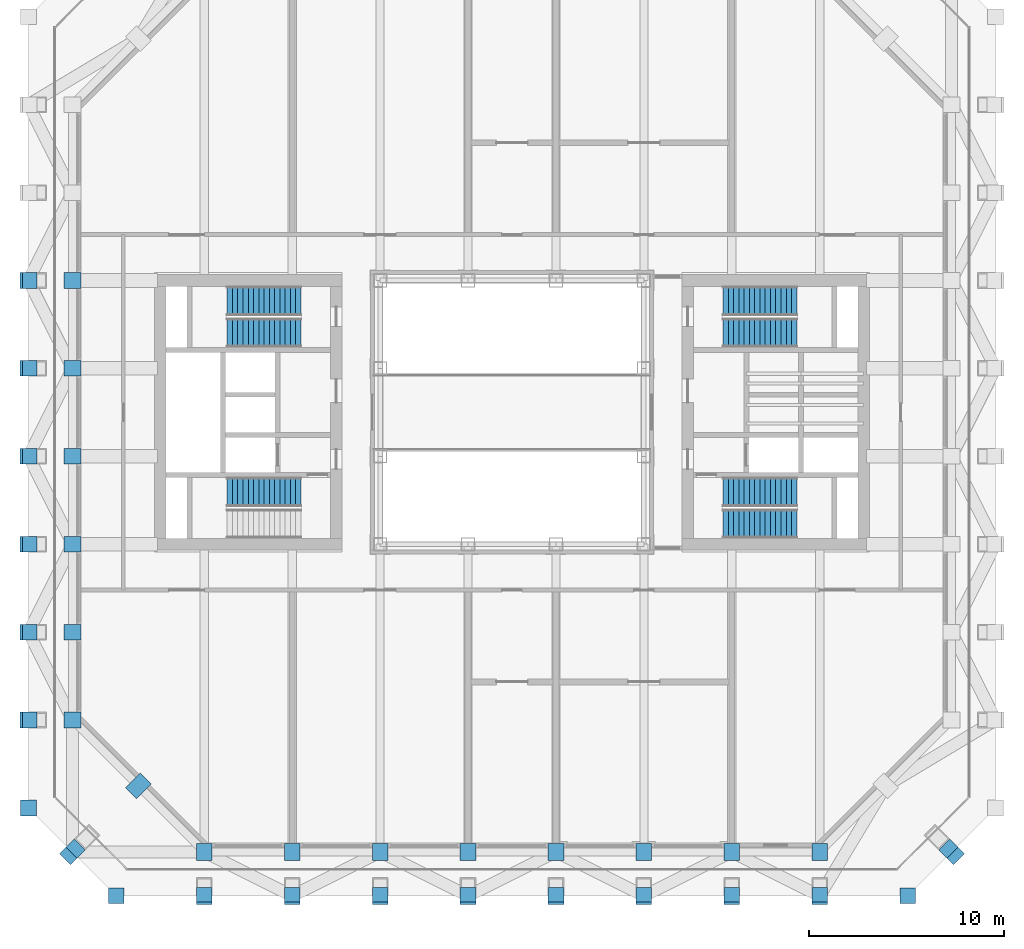
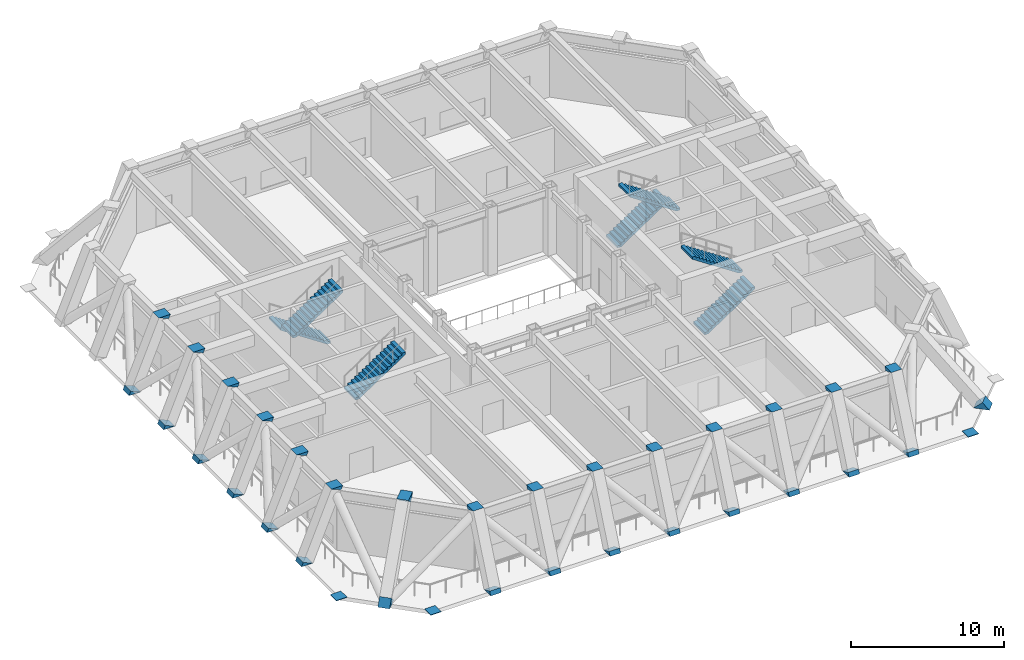
# One storey, part 6 of 9: 34 discrete accessories, 7 stair flights, 4 elements without a shape of their own.
"""IFC4 building model written with IfcOpenShell, lengths in metres."""

from ifc_helpers import new_model, si_unit, direction, frame, origin, origin_2d, place, context, subcontext, project, spatial, polyline, rectangle, outline, extrude, clip, halfspace, material, type_object, element, aggregate, save


model = new_model("IFC4")

# Units and contexts
model_context = context("Model", 3, precision=1e-05, world=origin(), true_north=direction((0.0, 1.0)))
body_context = subcontext(model_context, "Body", "Model", "MODEL_VIEW")
ifc_project = project(units=[si_unit("LENGTHUNIT", "METRE"), si_unit("AREAUNIT", "SQUARE_METRE"), si_unit("VOLUMEUNIT", "CUBIC_METRE"), si_unit("PLANEANGLEUNIT", "RADIAN"), si_unit("MASSUNIT", "GRAM", prefix="KILO")], contexts=[model_context])

# Site, building, storey
site_placement = place(None, origin())
site = spatial("IfcSite", under=ifc_project, at=site_placement, CompositionType="ELEMENT")
building_placement = place(site_placement, origin())
building = spatial("IfcBuilding", under=site, at=building_placement, Name="Msasa Ring Tower", CompositionType="ELEMENT")
storey_placement = place(building_placement, frame((0.0, 0.0, 107.0)))
storey = spatial("IfcBuildingStorey", under=building, at=storey_placement, Name="L28", CompositionType="ELEMENT", Elevation=107.0)

# Stair, stair flights
ifc_material_1 = material(Name="Concrete C40/50", Category="concrete")
stair_type = type_object("IfcStairType", Name="STC CORE STAIR 30 RISERS 180", PredefinedType="HALF_TURN_STAIR", material=ifc_material_1)
stair_1_placement = place(storey_placement, origin())
stair_1 = element("IfcStair", 1, at=stair_1_placement, inside=storey, type_object=stair_type, Name="Core stair SEA L28", PredefinedType="HALF_TURN_STAIR")
ifc_material_2 = material(Name="Concrete C40/50", Category="concrete")
stair_flight_type = type_object("IfcStairFlightType", Name="ST15 CORE STAIR FLIGHT 1500 15 RISERS 180", PredefinedType="STRAIGHT", material=ifc_material_2)
stair_flight_1_placement = place(storey_placement, frame((10.800048828125, -5.699951171875, 0.0), z_axis=(0.0, 0.0, 1.0), x_axis=(1.0, 0.0, 0.0)))
stair_flight_1 = element("IfcStairFlight", 2, at=stair_flight_1_placement, type_object=stair_flight_type, Name="SEA flight 1", NumberOfRisers=15, NumberOfTreads=14, PredefinedType="STRAIGHT", RiserHeight=0.18, TreadLength=0.27, context=body_context, shape_type="SweptSolid", body=[
    extrude(outline(polyline([(0.0, 0.0), (0.0, 0.179931640625), (0.27001953125, 0.179931640625), (0.27001953125, 0.360107421875), (0.5400390625, 0.360107421875), (0.5400390625, 0.5400390625), (0.81005859375, 0.5400390625), (0.81005859375, 0.719970703125), (1.080078125, 0.719970703125), (1.080078125, 0.89990234375), (1.35009765625, 0.89990234375), (1.35009765625, 1.080078125), (1.6201171875, 1.080078125), (1.6201171875, 1.260009765625), (1.889892578125, 1.260009765625), (1.889892578125, 1.43994140625), (2.159912109375, 1.43994140625), (2.159912109375, 1.6201171875), (2.429931640625, 1.6201171875), (2.429931640625, 1.800048828125), (2.699951171875, 1.800048828125), (2.699951171875, 1.97998046875), (2.969970703125, 1.97998046875), (2.969970703125, 2.159912109375), (3.239990234375, 2.159912109375), (3.239990234375, 2.340087890625), (3.510009765625, 2.340087890625), (3.510009765625, 2.52001953125), (3.780029296875, 2.52001953125), (3.780029296875, 2.699951171875), (3.780029296875, 2.33984375), (0.270263671875, 0.0), (0.0, 0.0)])), frame((0.0, 0.75, 0.0), z_axis=(0.0, -1.0, 0.0), x_axis=(1.0, 0.0, 0.0)), (0.0, 0.0, 1.0), 1.5),
])
stair_flight_2_placement = place(storey_placement, frame((14.580078125, -4.074951171875, 2.699951171875), z_axis=(0.0, 0.0, 1.0), x_axis=(-1.0, 0.0, 0.0)))
stair_flight_2 = element("IfcStairFlight", 3, at=stair_flight_2_placement, type_object=stair_flight_type, Name="SEA flight 2", NumberOfRisers=15, NumberOfTreads=14, PredefinedType="STRAIGHT", RiserHeight=0.18, TreadLength=0.27, context=body_context, shape_type="SweptSolid", body=[
    extrude(outline(polyline([(0.0, 0.0), (0.0, 0.179931640625), (0.27001953125, 0.179931640625), (0.27001953125, 0.360107421875), (0.5400390625, 0.360107421875), (0.5400390625, 0.5400390625), (0.81005859375, 0.5400390625), (0.81005859375, 0.719970703125), (1.080078125, 0.719970703125), (1.080078125, 0.89990234375), (1.35009765625, 0.89990234375), (1.35009765625, 1.080078125), (1.6201171875, 1.080078125), (1.6201171875, 1.260009765625), (1.889892578125, 1.260009765625), (1.889892578125, 1.43994140625), (2.159912109375, 1.43994140625), (2.159912109375, 1.6201171875), (2.429931640625, 1.6201171875), (2.429931640625, 1.800048828125), (2.699951171875, 1.800048828125), (2.699951171875, 1.97998046875), (2.969970703125, 1.97998046875), (2.969970703125, 2.159912109375), (3.239990234375, 2.159912109375), (3.239990234375, 2.340087890625), (3.510009765625, 2.340087890625), (3.510009765625, 2.52001953125), (3.780029296875, 2.52001953125), (3.780029296875, 2.699951171875), (3.780029296875, 2.33984375), (0.270263671875, 0.0), (0.0, 0.0)])), frame((0.0, 0.75, 0.0), z_axis=(0.0, -1.0, 0.0), x_axis=(1.0, 0.0, 0.0)), (0.0, 0.0, 1.0), 1.5),
])
aggregate(stair_1, [stair_flight_1, stair_flight_2])

stair_2_placement = place(storey_placement, origin())
stair_2 = element("IfcStair", 4, at=stair_2_placement, inside=storey, type_object=stair_type, Name="Core stair SEB L28", PredefinedType="HALF_TURN_STAIR")
stair_flight_3_placement = place(storey_placement, frame((10.800048828125, 5.699951171875, 0.0), z_axis=(0.0, 0.0, 1.0), x_axis=(1.0, 0.0, 0.0)))
stair_flight_3 = element("IfcStairFlight", 5, at=stair_flight_3_placement, type_object=stair_flight_type, Name="SEB flight 1", NumberOfRisers=15, NumberOfTreads=14, PredefinedType="STRAIGHT", RiserHeight=0.18, TreadLength=0.27, context=body_context, shape_type="SweptSolid", body=[
    extrude(outline(polyline([(0.0, 0.0), (0.0, 0.179931640625), (0.27001953125, 0.179931640625), (0.27001953125, 0.360107421875), (0.5400390625, 0.360107421875), (0.5400390625, 0.5400390625), (0.81005859375, 0.5400390625), (0.81005859375, 0.719970703125), (1.080078125, 0.719970703125), (1.080078125, 0.89990234375), (1.35009765625, 0.89990234375), (1.35009765625, 1.080078125), (1.6201171875, 1.080078125), (1.6201171875, 1.260009765625), (1.889892578125, 1.260009765625), (1.889892578125, 1.43994140625), (2.159912109375, 1.43994140625), (2.159912109375, 1.6201171875), (2.429931640625, 1.6201171875), (2.429931640625, 1.800048828125), (2.699951171875, 1.800048828125), (2.699951171875, 1.97998046875), (2.969970703125, 1.97998046875), (2.969970703125, 2.159912109375), (3.239990234375, 2.159912109375), (3.239990234375, 2.340087890625), (3.510009765625, 2.340087890625), (3.510009765625, 2.52001953125), (3.780029296875, 2.52001953125), (3.780029296875, 2.699951171875), (3.780029296875, 2.33984375), (0.270263671875, 0.0), (0.0, 0.0)])), frame((0.0, 0.75, 0.0), z_axis=(0.0, -1.0, 0.0), x_axis=(1.0, 0.0, 0.0)), (0.0, 0.0, 1.0), 1.5),
])
stair_flight_4_placement = place(storey_placement, frame((14.580078125, 4.074951171875, 2.699951171875), z_axis=(0.0, 0.0, 1.0), x_axis=(-1.0, 0.0, 0.0)))
stair_flight_4 = element("IfcStairFlight", 6, at=stair_flight_4_placement, type_object=stair_flight_type, Name="SEB flight 2", NumberOfRisers=15, NumberOfTreads=14, PredefinedType="STRAIGHT", RiserHeight=0.18, TreadLength=0.27, context=body_context, shape_type="SweptSolid", body=[
    extrude(outline(polyline([(0.0, 0.0), (0.0, 0.179931640625), (0.27001953125, 0.179931640625), (0.27001953125, 0.360107421875), (0.5400390625, 0.360107421875), (0.5400390625, 0.5400390625), (0.81005859375, 0.5400390625), (0.81005859375, 0.719970703125), (1.080078125, 0.719970703125), (1.080078125, 0.89990234375), (1.35009765625, 0.89990234375), (1.35009765625, 1.080078125), (1.6201171875, 1.080078125), (1.6201171875, 1.260009765625), (1.889892578125, 1.260009765625), (1.889892578125, 1.43994140625), (2.159912109375, 1.43994140625), (2.159912109375, 1.6201171875), (2.429931640625, 1.6201171875), (2.429931640625, 1.800048828125), (2.699951171875, 1.800048828125), (2.699951171875, 1.97998046875), (2.969970703125, 1.97998046875), (2.969970703125, 2.159912109375), (3.239990234375, 2.159912109375), (3.239990234375, 2.340087890625), (3.510009765625, 2.340087890625), (3.510009765625, 2.52001953125), (3.780029296875, 2.52001953125), (3.780029296875, 2.699951171875), (3.780029296875, 2.33984375), (0.270263671875, 0.0), (0.0, 0.0)])), frame((0.0, 0.75, 0.0), z_axis=(0.0, -1.0, 0.0), x_axis=(1.0, 0.0, 0.0)), (0.0, 0.0, 1.0), 1.5),
])
aggregate(stair_2, [stair_flight_3, stair_flight_4])

# Stair, stair flight
stair_3_placement = place(storey_placement, origin())
stair_3 = element("IfcStair", 7, at=stair_3_placement, inside=storey, type_object=stair_type, Name="Core stair SWA L28", PredefinedType="HALF_TURN_STAIR")
stair_flight_5_placement = place(storey_placement, frame((-14.580078125, -4.074951171875, 2.699951171875), z_axis=(0.0, 0.0, 1.0), x_axis=(1.0, 0.0, 0.0)))
stair_flight_5 = element("IfcStairFlight", 8, at=stair_flight_5_placement, type_object=stair_flight_type, Name="SWA flight 2", NumberOfRisers=15, NumberOfTreads=14, PredefinedType="STRAIGHT", RiserHeight=0.18, TreadLength=0.27, context=body_context, shape_type="SweptSolid", body=[
    extrude(outline(polyline([(0.0, 0.0), (0.0, 0.179931640625), (0.27001953125, 0.179931640625), (0.27001953125, 0.360107421875), (0.5400390625, 0.360107421875), (0.5400390625, 0.5400390625), (0.81005859375, 0.5400390625), (0.81005859375, 0.719970703125), (1.080078125, 0.719970703125), (1.080078125, 0.89990234375), (1.35009765625, 0.89990234375), (1.35009765625, 1.080078125), (1.6201171875, 1.080078125), (1.6201171875, 1.260009765625), (1.889892578125, 1.260009765625), (1.889892578125, 1.43994140625), (2.159912109375, 1.43994140625), (2.159912109375, 1.6201171875), (2.429931640625, 1.6201171875), (2.429931640625, 1.800048828125), (2.699951171875, 1.800048828125), (2.699951171875, 1.97998046875), (2.969970703125, 1.97998046875), (2.969970703125, 2.159912109375), (3.239990234375, 2.159912109375), (3.239990234375, 2.340087890625), (3.510009765625, 2.340087890625), (3.510009765625, 2.52001953125), (3.780029296875, 2.52001953125), (3.780029296875, 2.699951171875), (3.780029296875, 2.33984375), (0.270263671875, 0.0), (0.0, 0.0)])), frame((0.0, 0.75, 0.0), z_axis=(0.0, -1.0, 0.0), x_axis=(1.0, 0.0, 0.0)), (0.0, 0.0, 1.0), 1.5),
])
aggregate(stair_3, [stair_flight_5])

# Stair, stair flights
stair_4_placement = place(storey_placement, origin())
stair_4 = element("IfcStair", 9, at=stair_4_placement, inside=storey, type_object=stair_type, Name="Core stair SWB L28", PredefinedType="HALF_TURN_STAIR")
stair_flight_6_placement = place(storey_placement, frame((-10.800048828125, 5.699951171875, 0.0), z_axis=(0.0, 0.0, 1.0), x_axis=(-1.0, 0.0, 0.0)))
stair_flight_6 = element("IfcStairFlight", 10, at=stair_flight_6_placement, type_object=stair_flight_type, Name="SWB flight 1", NumberOfRisers=15, NumberOfTreads=14, PredefinedType="STRAIGHT", RiserHeight=0.18, TreadLength=0.27, context=body_context, shape_type="SweptSolid", body=[
    extrude(outline(polyline([(0.0, 0.0), (0.0, 0.179931640625), (0.27001953125, 0.179931640625), (0.27001953125, 0.360107421875), (0.5400390625, 0.360107421875), (0.5400390625, 0.5400390625), (0.81005859375, 0.5400390625), (0.81005859375, 0.719970703125), (1.080078125, 0.719970703125), (1.080078125, 0.89990234375), (1.35009765625, 0.89990234375), (1.35009765625, 1.080078125), (1.6201171875, 1.080078125), (1.6201171875, 1.260009765625), (1.889892578125, 1.260009765625), (1.889892578125, 1.43994140625), (2.159912109375, 1.43994140625), (2.159912109375, 1.6201171875), (2.429931640625, 1.6201171875), (2.429931640625, 1.800048828125), (2.699951171875, 1.800048828125), (2.699951171875, 1.97998046875), (2.969970703125, 1.97998046875), (2.969970703125, 2.159912109375), (3.239990234375, 2.159912109375), (3.239990234375, 2.340087890625), (3.510009765625, 2.340087890625), (3.510009765625, 2.52001953125), (3.780029296875, 2.52001953125), (3.780029296875, 2.699951171875), (3.780029296875, 2.33984375), (0.270263671875, 0.0), (0.0, 0.0)])), frame((0.0, 0.75, 0.0), z_axis=(0.0, -1.0, 0.0), x_axis=(1.0, 0.0, 0.0)), (0.0, 0.0, 1.0), 1.5),
])
stair_flight_7_placement = place(storey_placement, frame((-14.580078125, 4.074951171875, 2.699951171875), z_axis=(0.0, 0.0, 1.0), x_axis=(1.0, 0.0, 0.0)))
stair_flight_7 = element("IfcStairFlight", 11, at=stair_flight_7_placement, type_object=stair_flight_type, Name="SWB flight 2", NumberOfRisers=15, NumberOfTreads=14, PredefinedType="STRAIGHT", RiserHeight=0.18, TreadLength=0.27, context=body_context, shape_type="SweptSolid", body=[
    extrude(outline(polyline([(0.0, 0.0), (0.0, 0.179931640625), (0.27001953125, 0.179931640625), (0.27001953125, 0.360107421875), (0.5400390625, 0.360107421875), (0.5400390625, 0.5400390625), (0.81005859375, 0.5400390625), (0.81005859375, 0.719970703125), (1.080078125, 0.719970703125), (1.080078125, 0.89990234375), (1.35009765625, 0.89990234375), (1.35009765625, 1.080078125), (1.6201171875, 1.080078125), (1.6201171875, 1.260009765625), (1.889892578125, 1.260009765625), (1.889892578125, 1.43994140625), (2.159912109375, 1.43994140625), (2.159912109375, 1.6201171875), (2.429931640625, 1.6201171875), (2.429931640625, 1.800048828125), (2.699951171875, 1.800048828125), (2.699951171875, 1.97998046875), (2.969970703125, 1.97998046875), (2.969970703125, 2.159912109375), (3.239990234375, 2.159912109375), (3.239990234375, 2.340087890625), (3.510009765625, 2.340087890625), (3.510009765625, 2.52001953125), (3.780029296875, 2.52001953125), (3.780029296875, 2.699951171875), (3.780029296875, 2.33984375), (0.270263671875, 0.0), (0.0, 0.0)])), frame((0.0, 0.75, 0.0), z_axis=(0.0, -1.0, 0.0), x_axis=(1.0, 0.0, 0.0)), (0.0, 0.0, 1.0), 1.5),
])
aggregate(stair_4, [stair_flight_6, stair_flight_7])

# Discrete accessories
discrete_accessory_1_placement = place(storey_placement, frame((-15.75, -24.75, 0.0)))
element("IfcDiscreteAccessory", 12, at=discrete_accessory_1_placement, inside=storey, Name="Raked column foot node S-15.75 L28", ObjectType="RAKED COLUMN NODE", PredefinedType="USERDEFINED", context=body_context, shape_type="Clipping", body=[
    clip(extrude(rectangle(XDim=0.800048828125, YDim=0.800048828125, at=origin_2d()), frame((0.0, -0.064208984375, -0.15380859375), z_axis=(0.0, 0.384615029586, 0.923077071006), x_axis=(0.0, -0.923077071006, 0.384615029586)), (0.0, 0.0, 1.0), 0.33349609375), halfspace(frame((0.0, 0.0, 0.0), z_axis=(0.0, 0.0, 1.0)), True)),
])
discrete_accessory_2_placement = place(storey_placement, frame((-15.75, -22.5, 5.39990234375)))
element("IfcDiscreteAccessory", 13, at=discrete_accessory_2_placement, inside=storey, Name="Raked column head node S-15.75 L28", ObjectType="RAKED COLUMN NODE", PredefinedType="USERDEFINED", context=body_context, shape_type="Clipping", body=[
    clip(extrude(rectangle(XDim=0.800048828125, YDim=0.800048828125, at=origin_2d()), frame((0.0, -0.064208984375, -0.15380859375), z_axis=(0.0, 0.384615029586, 0.923077071006), x_axis=(0.0, -0.923077071006, 0.384615029586)), (0.0, 0.0, 1.0), 0.33349609375), halfspace(frame((0.0, 0.0, 0.0), z_axis=(0.0, 0.0, -1.0)), True)),
])
discrete_accessory_3_placement = place(storey_placement, frame((-24.75, -15.75, 0.0)))
element("IfcDiscreteAccessory", 14, at=discrete_accessory_3_placement, inside=storey, Name="Raked column foot node W-15.75 L28", ObjectType="RAKED COLUMN NODE", PredefinedType="USERDEFINED", context=body_context, shape_type="Clipping", body=[
    clip(extrude(rectangle(XDim=0.800048828125, YDim=0.800048828125, at=origin_2d()), frame((-0.064208984375, 0.0, -0.15380859375), z_axis=(0.384615029586, 0.0, 0.923077071006), x_axis=(0.0, 1.0, 0.0)), (0.0, 0.0, 1.0), 0.33349609375), halfspace(frame((0.0, 0.0, 0.0), z_axis=(0.0, 0.0, 1.0)), True)),
])
discrete_accessory_4_placement = place(storey_placement, frame((-22.5, -15.75, 5.39990234375)))
element("IfcDiscreteAccessory", 15, at=discrete_accessory_4_placement, inside=storey, Name="Raked column head node W-15.75 L28", ObjectType="RAKED COLUMN NODE", PredefinedType="USERDEFINED", context=body_context, shape_type="Clipping", body=[
    clip(extrude(rectangle(XDim=0.800048828125, YDim=0.800048828125, at=origin_2d()), frame((-0.064208984375, 0.0, -0.15380859375), z_axis=(0.384615029586, 0.0, 0.923077071006), x_axis=(0.0, 1.0, 0.0)), (0.0, 0.0, 1.0), 0.33349609375), halfspace(frame((0.0, 0.0, 0.0), z_axis=(0.0, 0.0, -1.0)), True)),
])
discrete_accessory_5_placement = place(storey_placement, frame((-11.25, -24.75, 0.0)))
element("IfcDiscreteAccessory", 16, at=discrete_accessory_5_placement, inside=storey, Name="Raked column foot node S-11.25 L28", ObjectType="RAKED COLUMN NODE", PredefinedType="USERDEFINED", context=body_context, shape_type="Clipping", body=[
    clip(extrude(rectangle(XDim=0.800048828125, YDim=0.800048828125, at=origin_2d()), frame((0.0, -0.064208984375, -0.15380859375), z_axis=(0.0, 0.384615029586, 0.923077071006), x_axis=(0.0, -0.923077071006, 0.384615029586)), (0.0, 0.0, 1.0), 0.33349609375), halfspace(frame((0.0, 0.0, 0.0), z_axis=(0.0, 0.0, 1.0)), True)),
])
discrete_accessory_6_placement = place(storey_placement, frame((-11.25, -22.5, 5.39990234375)))
element("IfcDiscreteAccessory", 17, at=discrete_accessory_6_placement, inside=storey, Name="Raked column head node S-11.25 L28", ObjectType="RAKED COLUMN NODE", PredefinedType="USERDEFINED", context=body_context, shape_type="Clipping", body=[
    clip(extrude(rectangle(XDim=0.800048828125, YDim=0.800048828125, at=origin_2d()), frame((0.0, -0.064208984375, -0.15380859375), z_axis=(0.0, 0.384615029586, 0.923077071006), x_axis=(0.0, -0.923077071006, 0.384615029586)), (0.0, 0.0, 1.0), 0.33349609375), halfspace(frame((0.0, 0.0, 0.0), z_axis=(0.0, 0.0, -1.0)), True)),
])
discrete_accessory_7_placement = place(storey_placement, frame((-24.75, -11.25, 0.0)))
element("IfcDiscreteAccessory", 18, at=discrete_accessory_7_placement, inside=storey, Name="Raked column foot node W-11.25 L28", ObjectType="RAKED COLUMN NODE", PredefinedType="USERDEFINED", context=body_context, shape_type="Clipping", body=[
    clip(extrude(rectangle(XDim=0.800048828125, YDim=0.800048828125, at=origin_2d()), frame((-0.064208984375, 0.0, -0.15380859375), z_axis=(0.384615029586, 0.0, 0.923077071006), x_axis=(0.0, 1.0, 0.0)), (0.0, 0.0, 1.0), 0.33349609375), halfspace(frame((0.0, 0.0, 0.0), z_axis=(0.0, 0.0, 1.0)), True)),
])
discrete_accessory_8_placement = place(storey_placement, frame((-22.5, -11.25, 5.39990234375)))
element("IfcDiscreteAccessory", 19, at=discrete_accessory_8_placement, inside=storey, Name="Raked column head node W-11.25 L28", ObjectType="RAKED COLUMN NODE", PredefinedType="USERDEFINED", context=body_context, shape_type="Clipping", body=[
    clip(extrude(rectangle(XDim=0.800048828125, YDim=0.800048828125, at=origin_2d()), frame((-0.064208984375, 0.0, -0.15380859375), z_axis=(0.384615029586, 0.0, 0.923077071006), x_axis=(0.0, 1.0, 0.0)), (0.0, 0.0, 1.0), 0.33349609375), halfspace(frame((0.0, 0.0, 0.0), z_axis=(0.0, 0.0, -1.0)), True)),
])
discrete_accessory_9_placement = place(storey_placement, frame((-6.75, -24.75, 0.0)))
element("IfcDiscreteAccessory", 20, at=discrete_accessory_9_placement, inside=storey, Name="Raked column foot node S-6.75 L28", ObjectType="RAKED COLUMN NODE", PredefinedType="USERDEFINED", context=body_context, shape_type="Clipping", body=[
    clip(extrude(rectangle(XDim=0.800048828125, YDim=0.800048828125, at=origin_2d()), frame((0.0, -0.064208984375, -0.15380859375), z_axis=(0.0, 0.384615029586, 0.923077071006), x_axis=(0.0, -0.923077071006, 0.384615029586)), (0.0, 0.0, 1.0), 0.33349609375), halfspace(frame((0.0, 0.0, 0.0), z_axis=(0.0, 0.0, 1.0)), True)),
])
discrete_accessory_10_placement = place(storey_placement, frame((-6.75, -22.5, 5.39990234375)))
element("IfcDiscreteAccessory", 21, at=discrete_accessory_10_placement, inside=storey, Name="Raked column head node S-6.75 L28", ObjectType="RAKED COLUMN NODE", PredefinedType="USERDEFINED", context=body_context, shape_type="Clipping", body=[
    clip(extrude(rectangle(XDim=0.800048828125, YDim=0.800048828125, at=origin_2d()), frame((0.0, -0.064208984375, -0.15380859375), z_axis=(0.0, 0.384615029586, 0.923077071006), x_axis=(0.0, -0.923077071006, 0.384615029586)), (0.0, 0.0, 1.0), 0.33349609375), halfspace(frame((0.0, 0.0, 0.0), z_axis=(0.0, 0.0, -1.0)), True)),
])
discrete_accessory_11_placement = place(storey_placement, frame((-24.75, -6.75, 0.0)))
element("IfcDiscreteAccessory", 22, at=discrete_accessory_11_placement, inside=storey, Name="Raked column foot node W-6.75 L28", ObjectType="RAKED COLUMN NODE", PredefinedType="USERDEFINED", context=body_context, shape_type="Clipping", body=[
    clip(extrude(rectangle(XDim=0.800048828125, YDim=0.800048828125, at=origin_2d()), frame((-0.064208984375, 0.0, -0.15380859375), z_axis=(0.384615029586, 0.0, 0.923077071006), x_axis=(0.0, 1.0, 0.0)), (0.0, 0.0, 1.0), 0.33349609375), halfspace(frame((0.0, 0.0, 0.0), z_axis=(0.0, 0.0, 1.0)), True)),
])
discrete_accessory_12_placement = place(storey_placement, frame((-22.5, -6.75, 5.39990234375)))
element("IfcDiscreteAccessory", 23, at=discrete_accessory_12_placement, inside=storey, Name="Raked column head node W-6.75 L28", ObjectType="RAKED COLUMN NODE", PredefinedType="USERDEFINED", context=body_context, shape_type="Clipping", body=[
    clip(extrude(rectangle(XDim=0.800048828125, YDim=0.800048828125, at=origin_2d()), frame((-0.064208984375, 0.0, -0.15380859375), z_axis=(0.384615029586, 0.0, 0.923077071006), x_axis=(0.0, 1.0, 0.0)), (0.0, 0.0, 1.0), 0.33349609375), halfspace(frame((0.0, 0.0, 0.0), z_axis=(0.0, 0.0, -1.0)), True)),
])
discrete_accessory_13_placement = place(storey_placement, frame((-2.25, -24.75, 0.0)))
element("IfcDiscreteAccessory", 24, at=discrete_accessory_13_placement, inside=storey, Name="Raked column foot node S-2.25 L28", ObjectType="RAKED COLUMN NODE", PredefinedType="USERDEFINED", context=body_context, shape_type="Clipping", body=[
    clip(extrude(rectangle(XDim=0.800048828125, YDim=0.800048828125, at=origin_2d()), frame((0.0, -0.064208984375, -0.15380859375), z_axis=(0.0, 0.384615029586, 0.923077071006), x_axis=(0.0, -0.923077071006, 0.384615029586)), (0.0, 0.0, 1.0), 0.33349609375), halfspace(frame((0.0, 0.0, 0.0), z_axis=(0.0, 0.0, 1.0)), True)),
])
discrete_accessory_14_placement = place(storey_placement, frame((-2.25, -22.5, 5.39990234375)))
element("IfcDiscreteAccessory", 25, at=discrete_accessory_14_placement, inside=storey, Name="Raked column head node S-2.25 L28", ObjectType="RAKED COLUMN NODE", PredefinedType="USERDEFINED", context=body_context, shape_type="Clipping", body=[
    clip(extrude(rectangle(XDim=0.800048828125, YDim=0.800048828125, at=origin_2d()), frame((0.0, -0.064208984375, -0.15380859375), z_axis=(0.0, 0.384615029586, 0.923077071006), x_axis=(0.0, -0.923077071006, 0.384615029586)), (0.0, 0.0, 1.0), 0.33349609375), halfspace(frame((0.0, 0.0, 0.0), z_axis=(0.0, 0.0, -1.0)), True)),
])
discrete_accessory_15_placement = place(storey_placement, frame((-24.75, -2.25, 0.0)))
element("IfcDiscreteAccessory", 26, at=discrete_accessory_15_placement, inside=storey, Name="Raked column foot node W-2.25 L28", ObjectType="RAKED COLUMN NODE", PredefinedType="USERDEFINED", context=body_context, shape_type="Clipping", body=[
    clip(extrude(rectangle(XDim=0.800048828125, YDim=0.800048828125, at=origin_2d()), frame((-0.064208984375, 0.0, -0.15380859375), z_axis=(0.384615029586, 0.0, 0.923077071006), x_axis=(0.0, 1.0, 0.0)), (0.0, 0.0, 1.0), 0.33349609375), halfspace(frame((0.0, 0.0, 0.0), z_axis=(0.0, 0.0, 1.0)), True)),
])
discrete_accessory_16_placement = place(storey_placement, frame((-22.5, -2.25, 5.39990234375)))
element("IfcDiscreteAccessory", 27, at=discrete_accessory_16_placement, inside=storey, Name="Raked column head node W-2.25 L28", ObjectType="RAKED COLUMN NODE", PredefinedType="USERDEFINED", context=body_context, shape_type="Clipping", body=[
    clip(extrude(rectangle(XDim=0.800048828125, YDim=0.800048828125, at=origin_2d()), frame((-0.064208984375, 0.0, -0.15380859375), z_axis=(0.384615029586, 0.0, 0.923077071006), x_axis=(0.0, 1.0, 0.0)), (0.0, 0.0, 1.0), 0.33349609375), halfspace(frame((0.0, 0.0, 0.0), z_axis=(0.0, 0.0, -1.0)), True)),
])
discrete_accessory_17_placement = place(storey_placement, frame((2.25, -24.75, 0.0)))
element("IfcDiscreteAccessory", 28, at=discrete_accessory_17_placement, inside=storey, Name="Raked column foot node S+2.25 L28", ObjectType="RAKED COLUMN NODE", PredefinedType="USERDEFINED", context=body_context, shape_type="Clipping", body=[
    clip(extrude(rectangle(XDim=0.800048828125, YDim=0.800048828125, at=origin_2d()), frame((0.0, -0.064208984375, -0.15380859375), z_axis=(0.0, 0.384615029586, 0.923077071006), x_axis=(0.0, -0.923077071006, 0.384615029586)), (0.0, 0.0, 1.0), 0.33349609375), halfspace(frame((0.0, 0.0, 0.0), z_axis=(0.0, 0.0, 1.0)), True)),
])
discrete_accessory_18_placement = place(storey_placement, frame((2.25, -22.5, 5.39990234375)))
element("IfcDiscreteAccessory", 29, at=discrete_accessory_18_placement, inside=storey, Name="Raked column head node S+2.25 L28", ObjectType="RAKED COLUMN NODE", PredefinedType="USERDEFINED", context=body_context, shape_type="Clipping", body=[
    clip(extrude(rectangle(XDim=0.800048828125, YDim=0.800048828125, at=origin_2d()), frame((0.0, -0.064208984375, -0.15380859375), z_axis=(0.0, 0.384615029586, 0.923077071006), x_axis=(0.0, -0.923077071006, 0.384615029586)), (0.0, 0.0, 1.0), 0.33349609375), halfspace(frame((0.0, 0.0, 0.0), z_axis=(0.0, 0.0, -1.0)), True)),
])
discrete_accessory_19_placement = place(storey_placement, frame((-24.75, 2.25, 0.0)))
element("IfcDiscreteAccessory", 30, at=discrete_accessory_19_placement, inside=storey, Name="Raked column foot node W+2.25 L28", ObjectType="RAKED COLUMN NODE", PredefinedType="USERDEFINED", context=body_context, shape_type="Clipping", body=[
    clip(extrude(rectangle(XDim=0.800048828125, YDim=0.800048828125, at=origin_2d()), frame((-0.064208984375, 0.0, -0.15380859375), z_axis=(0.384615029586, 0.0, 0.923077071006), x_axis=(0.0, 1.0, 0.0)), (0.0, 0.0, 1.0), 0.33349609375), halfspace(frame((0.0, 0.0, 0.0), z_axis=(0.0, 0.0, 1.0)), True)),
])
discrete_accessory_20_placement = place(storey_placement, frame((-22.5, 2.25, 5.39990234375)))
element("IfcDiscreteAccessory", 31, at=discrete_accessory_20_placement, inside=storey, Name="Raked column head node W+2.25 L28", ObjectType="RAKED COLUMN NODE", PredefinedType="USERDEFINED", context=body_context, shape_type="Clipping", body=[
    clip(extrude(rectangle(XDim=0.800048828125, YDim=0.800048828125, at=origin_2d()), frame((-0.064208984375, 0.0, -0.15380859375), z_axis=(0.384615029586, 0.0, 0.923077071006), x_axis=(0.0, 1.0, 0.0)), (0.0, 0.0, 1.0), 0.33349609375), halfspace(frame((0.0, 0.0, 0.0), z_axis=(0.0, 0.0, -1.0)), True)),
])
discrete_accessory_21_placement = place(storey_placement, frame((6.75, -24.75, 0.0)))
element("IfcDiscreteAccessory", 32, at=discrete_accessory_21_placement, inside=storey, Name="Raked column foot node S+6.75 L28", ObjectType="RAKED COLUMN NODE", PredefinedType="USERDEFINED", context=body_context, shape_type="Clipping", body=[
    clip(extrude(rectangle(XDim=0.800048828125, YDim=0.800048828125, at=origin_2d()), frame((0.0, -0.064208984375, -0.15380859375), z_axis=(0.0, 0.384615029586, 0.923077071006), x_axis=(0.0, -0.923077071006, 0.384615029586)), (0.0, 0.0, 1.0), 0.33349609375), halfspace(frame((0.0, 0.0, 0.0), z_axis=(0.0, 0.0, 1.0)), True)),
])
discrete_accessory_22_placement = place(storey_placement, frame((6.75, -22.5, 5.39990234375)))
element("IfcDiscreteAccessory", 33, at=discrete_accessory_22_placement, inside=storey, Name="Raked column head node S+6.75 L28", ObjectType="RAKED COLUMN NODE", PredefinedType="USERDEFINED", context=body_context, shape_type="Clipping", body=[
    clip(extrude(rectangle(XDim=0.800048828125, YDim=0.800048828125, at=origin_2d()), frame((0.0, -0.064208984375, -0.15380859375), z_axis=(0.0, 0.384615029586, 0.923077071006), x_axis=(0.0, -0.923077071006, 0.384615029586)), (0.0, 0.0, 1.0), 0.33349609375), halfspace(frame((0.0, 0.0, 0.0), z_axis=(0.0, 0.0, -1.0)), True)),
])
discrete_accessory_23_placement = place(storey_placement, frame((-24.75, 6.75, 0.0)))
element("IfcDiscreteAccessory", 34, at=discrete_accessory_23_placement, inside=storey, Name="Raked column foot node W+6.75 L28", ObjectType="RAKED COLUMN NODE", PredefinedType="USERDEFINED", context=body_context, shape_type="Clipping", body=[
    clip(extrude(rectangle(XDim=0.800048828125, YDim=0.800048828125, at=origin_2d()), frame((-0.064208984375, 0.0, -0.15380859375), z_axis=(0.384615029586, 0.0, 0.923077071006), x_axis=(0.0, 1.0, 0.0)), (0.0, 0.0, 1.0), 0.33349609375), halfspace(frame((0.0, 0.0, 0.0), z_axis=(0.0, 0.0, 1.0)), True)),
])
discrete_accessory_24_placement = place(storey_placement, frame((-22.5, 6.75, 5.39990234375)))
element("IfcDiscreteAccessory", 35, at=discrete_accessory_24_placement, inside=storey, Name="Raked column head node W+6.75 L28", ObjectType="RAKED COLUMN NODE", PredefinedType="USERDEFINED", context=body_context, shape_type="Clipping", body=[
    clip(extrude(rectangle(XDim=0.800048828125, YDim=0.800048828125, at=origin_2d()), frame((-0.064208984375, 0.0, -0.15380859375), z_axis=(0.384615029586, 0.0, 0.923077071006), x_axis=(0.0, 1.0, 0.0)), (0.0, 0.0, 1.0), 0.33349609375), halfspace(frame((0.0, 0.0, 0.0), z_axis=(0.0, 0.0, -1.0)), True)),
])
discrete_accessory_25_placement = place(storey_placement, frame((11.25, -24.75, 0.0)))
element("IfcDiscreteAccessory", 36, at=discrete_accessory_25_placement, inside=storey, Name="Raked column foot node S+11.25 L28", ObjectType="RAKED COLUMN NODE", PredefinedType="USERDEFINED", context=body_context, shape_type="Clipping", body=[
    clip(extrude(rectangle(XDim=0.800048828125, YDim=0.800048828125, at=origin_2d()), frame((0.0, -0.064208984375, -0.15380859375), z_axis=(0.0, 0.384615029586, 0.923077071006), x_axis=(0.0, -0.923077071006, 0.384615029586)), (0.0, 0.0, 1.0), 0.33349609375), halfspace(frame((0.0, 0.0, 0.0), z_axis=(0.0, 0.0, 1.0)), True)),
])
discrete_accessory_26_placement = place(storey_placement, frame((11.25, -22.5, 5.39990234375)))
element("IfcDiscreteAccessory", 37, at=discrete_accessory_26_placement, inside=storey, Name="Raked column head node S+11.25 L28", ObjectType="RAKED COLUMN NODE", PredefinedType="USERDEFINED", context=body_context, shape_type="Clipping", body=[
    clip(extrude(rectangle(XDim=0.800048828125, YDim=0.800048828125, at=origin_2d()), frame((0.0, -0.064208984375, -0.15380859375), z_axis=(0.0, 0.384615029586, 0.923077071006), x_axis=(0.0, -0.923077071006, 0.384615029586)), (0.0, 0.0, 1.0), 0.33349609375), halfspace(frame((0.0, 0.0, 0.0), z_axis=(0.0, 0.0, -1.0)), True)),
])
discrete_accessory_27_placement = place(storey_placement, frame((15.75, -24.75, 0.0)))
element("IfcDiscreteAccessory", 38, at=discrete_accessory_27_placement, inside=storey, Name="Raked column foot node S+15.75 L28", ObjectType="RAKED COLUMN NODE", PredefinedType="USERDEFINED", context=body_context, shape_type="Clipping", body=[
    clip(extrude(rectangle(XDim=0.800048828125, YDim=0.800048828125, at=origin_2d()), frame((0.0, -0.064208984375, -0.15380859375), z_axis=(0.0, 0.384615029586, 0.923077071006), x_axis=(0.0, -0.923077071006, 0.384615029586)), (0.0, 0.0, 1.0), 0.33349609375), halfspace(frame((0.0, 0.0, 0.0), z_axis=(0.0, 0.0, 1.0)), True)),
])
discrete_accessory_28_placement = place(storey_placement, frame((15.75, -22.5, 5.39990234375)))
element("IfcDiscreteAccessory", 39, at=discrete_accessory_28_placement, inside=storey, Name="Raked column head node S+15.75 L28", ObjectType="RAKED COLUMN NODE", PredefinedType="USERDEFINED", context=body_context, shape_type="Clipping", body=[
    clip(extrude(rectangle(XDim=0.800048828125, YDim=0.800048828125, at=origin_2d()), frame((0.0, -0.064208984375, -0.15380859375), z_axis=(0.0, 0.384615029586, 0.923077071006), x_axis=(0.0, -0.923077071006, 0.384615029586)), (0.0, 0.0, 1.0), 0.33349609375), halfspace(frame((0.0, 0.0, 0.0), z_axis=(0.0, 0.0, -1.0)), True)),
])
discrete_accessory_29_placement = place(storey_placement, frame((22.5, -22.5, 0.0)))
element("IfcDiscreteAccessory", 40, at=discrete_accessory_29_placement, inside=storey, Name="Raked column foot node SE L28", ObjectType="RAKED COLUMN NODE", PredefinedType="USERDEFINED", context=body_context, shape_type="Clipping", body=[
    clip(extrude(rectangle(XDim=0.800048828125, YDim=0.800048828125, at=origin_2d()), frame((0.16552734375, -0.16552734375, -0.264892578125), z_axis=(-0.468292835615, 0.468292835615, 0.749268736985), x_axis=(-0.707106781187, -0.707106781187, 0.0)), (0.0, 0.0, 1.0), 0.707275390625), halfspace(frame((0.0, 0.0, 0.0), z_axis=(0.0, 0.0, 1.0)), True)),
])
discrete_accessory_30_placement = place(storey_placement, frame((-22.5, -22.5, 0.0)))
element("IfcDiscreteAccessory", 41, at=discrete_accessory_30_placement, inside=storey, Name="Raked column foot node SW L28", ObjectType="RAKED COLUMN NODE", PredefinedType="USERDEFINED", context=body_context, shape_type="Clipping", body=[
    clip(extrude(rectangle(XDim=0.800048828125, YDim=0.800048828125, at=origin_2d()), frame((-0.16552734375, -0.16552734375, -0.264892578125), z_axis=(0.468292835615, 0.468292835615, 0.749268736985), x_axis=(-0.707106781187, 0.707106781187, 0.0)), (0.0, 0.0, 1.0), 0.707275390625), halfspace(frame((0.0, 0.0, 0.0), z_axis=(0.0, 0.0, 1.0)), True)),
])
discrete_accessory_31_placement = place(storey_placement, frame((-19.125, -19.125, 5.39990234375)))
element("IfcDiscreteAccessory", 42, at=discrete_accessory_31_placement, inside=storey, Name="Raked column head node SW L28", ObjectType="RAKED COLUMN NODE", PredefinedType="USERDEFINED", context=body_context, shape_type="Clipping", body=[
    clip(extrude(rectangle(XDim=0.800048828125, YDim=0.800048828125, at=origin_2d()), frame((-0.16552734375, -0.16552734375, -0.264892578125), z_axis=(0.468292835615, 0.468292835615, 0.749268736985), x_axis=(-0.707106781187, 0.707106781187, 0.0)), (0.0, 0.0, 1.0), 0.707275390625), halfspace(frame((0.0, 0.0, 0.0), z_axis=(0.0, 0.0, -1.0)), True)),
])
discrete_accessory_32_placement = place(storey_placement, origin())
element("IfcDiscreteAccessory", 43, at=discrete_accessory_32_placement, inside=storey, Name="Tube column cap plate S-20.25 L27", ObjectType="STEEL COLUMN CAP PLATE", PredefinedType="USERDEFINED", context=body_context, shape_type="SweptSolid", body=[
    extrude(outline(polyline([(-20.64990234375, -25.14990234375), (-19.85009765625, -25.14990234375), (-19.85009765625, -24.35009765625), (-20.64990234375, -24.35009765625), (-20.64990234375, -25.14990234375)])), origin(), (0.0, 0.0, 1.0), 0.0400390625),
])
discrete_accessory_33_placement = place(storey_placement, origin())
element("IfcDiscreteAccessory", 44, at=discrete_accessory_33_placement, inside=storey, Name="Tube column cap plate S+20.25 L27", ObjectType="STEEL COLUMN CAP PLATE", PredefinedType="USERDEFINED", context=body_context, shape_type="SweptSolid", body=[
    extrude(outline(polyline([(19.85009765625, -25.14990234375), (20.64990234375, -25.14990234375), (20.64990234375, -24.35009765625), (19.85009765625, -24.35009765625), (19.85009765625, -25.14990234375)])), origin(), (0.0, 0.0, 1.0), 0.0400390625),
])
discrete_accessory_34_placement = place(storey_placement, origin())
element("IfcDiscreteAccessory", 45, at=discrete_accessory_34_placement, inside=storey, Name="Tube column cap plate W-20.25 L27", ObjectType="STEEL COLUMN CAP PLATE", PredefinedType="USERDEFINED", context=body_context, shape_type="SweptSolid", body=[
    extrude(outline(polyline([(-25.14990234375, -20.64990234375), (-24.35009765625, -20.64990234375), (-24.35009765625, -19.85009765625), (-25.14990234375, -19.85009765625), (-25.14990234375, -20.64990234375)])), origin(), (0.0, 0.0, 1.0), 0.0400390625),
])

save(model, "model.ifc")
